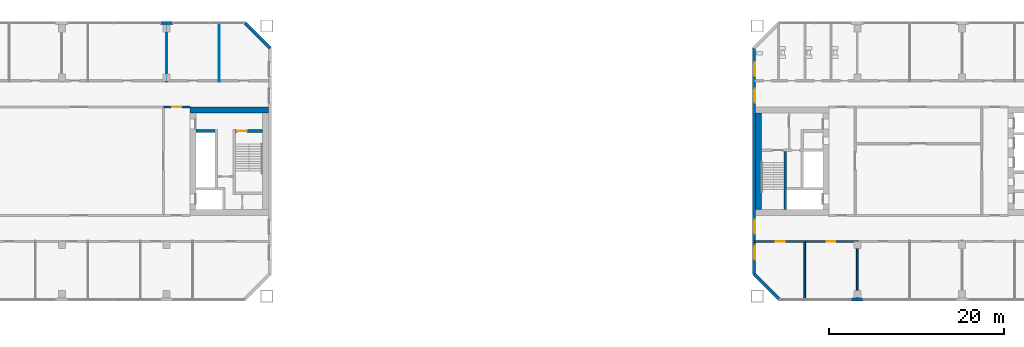
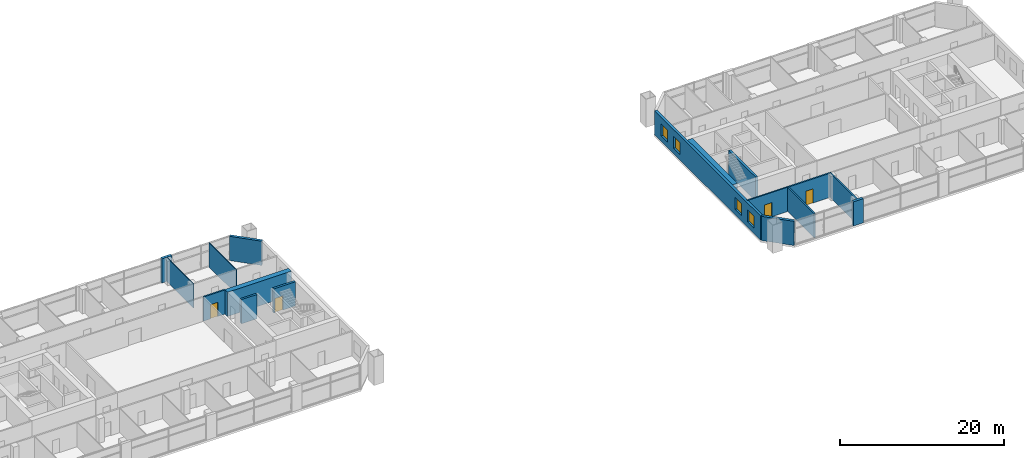
# One storey, part 13 of 19: 17 walls, 4 doors, 4 windows, 8 openings.
"""IFC4 building model written with IfcOpenShell, lengths in metres."""

import ifcopenshell
import ifcopenshell.guid

model = None  # the IFC model being written
_history = None  # IfcOwnerHistory: only IFC2X3 demands one
_inside = {}  # id of a spatial element -> (the spatial element, [elements in it])
_under = {}  # id of a project, library or spatial element -> (it, [spatial elements below it])
_declared = {}  # id of a project -> (the project, [libraries it declares])
_typed = {}  # id of a type object -> (the type object, [elements of that type])
_made_of = {}  # id of a material, layer set ... -> (it, [elements and type objects made of it])


def new_model(schema):
    """Start an empty IFC model of exactly this schema.

    Asked for "IFC4X3", IfcOpenShell would pick the latest addendum, in which some entities
    have other attributes; the version numbers below select the first issue.
    IFC2X3 requires an IfcOwnerHistory on every rooted entity: one is made here for all.
    """
    global model, _history
    if schema == "IFC4X3":
        model = ifcopenshell.file(schema_version=(4, 3, 0, 0))
    else:
        model = ifcopenshell.file(schema=schema)
    _inside.clear()
    _under.clear()
    _declared.clear()
    _typed.clear()
    _made_of.clear()
    _history = None
    if model.schema == "IFC2X3":
        org = make("IfcOrganization", Name="unknown")
        user = make(
            "IfcPersonAndOrganization",
            ThePerson=make("IfcPerson", FamilyName="unknown"),
            TheOrganization=org,
        )
        app = make(
            "IfcApplication",
            ApplicationDeveloper=org,
            Version="unknown",
            ApplicationFullName="unknown",
            ApplicationIdentifier="unknown",
        )
        _history = make(
            "IfcOwnerHistory",
            OwningUser=user,
            OwningApplication=app,
            ChangeAction="ADDED",
            CreationDate=0,
        )
    return model


def make(cls, **values):
    """One entity of the class cls with the attributes given. An attribute that is None is left unset."""
    return model.create_entity(
        cls, **{name: value for name, value in values.items() if value is not None}
    )


def rooted(cls, **values):
    """An entity with a GlobalId (a new one), such as an element, a storey or a relation."""
    return make(cls, GlobalId=ifcopenshell.guid.new(), OwnerHistory=_history, **values)


def si_unit(unit_type, name, prefix=None):
    """IfcSIUnit, for example si_unit("LENGTHUNIT", "METRE", prefix="MILLI")."""
    return make("IfcSIUnit", UnitType=unit_type, Prefix=prefix, Name=name)


def assignment(units):
    """IfcUnitAssignment: the units of a project."""
    return None if units is None else make("IfcUnitAssignment", Units=units)


def point(xyz):
    """IfcCartesianPoint."""
    return None if xyz is None else make("IfcCartesianPoint", Coordinates=xyz)


def direction(xyz):
    """IfcDirection."""
    return None if xyz is None else make("IfcDirection", DirectionRatios=xyz)


def frame(location, z_axis=None, x_axis=None):
    """IfcAxis2Placement3D, a coordinate frame: its origin and axes. An axis left out is left unset."""
    return make(
        "IfcAxis2Placement3D",
        Location=point(location),
        Axis=direction(z_axis),
        RefDirection=direction(x_axis),
    )


def frame_2d(location, x_axis=None):
    """IfcAxis2Placement2D, a coordinate frame in the plane: its origin and x axis."""
    return make(
        "IfcAxis2Placement2D", Location=point(location), RefDirection=direction(x_axis)
    )


def origin():
    """The frame at (0, 0, 0) with its axes left unset."""
    return frame((0.0, 0.0, 0.0))


def place(relative_to, where):
    """IfcLocalPlacement: puts the frame where relative to a parent placement (None: the world)."""
    return make(
        "IfcLocalPlacement", PlacementRelTo=relative_to, RelativePlacement=where
    )


def context(
    kind, dimensions, precision=None, world=None, true_north=None, identifier=None
):
    """IfcGeometricRepresentationContext, for example the 3D "Model" context."""
    return make(
        "IfcGeometricRepresentationContext",
        ContextIdentifier=identifier,
        ContextType=kind,
        CoordinateSpaceDimension=dimensions,
        Precision=precision,
        WorldCoordinateSystem=world,
        TrueNorth=true_north,
    )


def subcontext(parent, identifier, kind, view, scale=None):
    """IfcGeometricRepresentationSubContext, for example "Body" below "Model"."""
    return make(
        "IfcGeometricRepresentationSubContext",
        ContextIdentifier=identifier,
        ContextType=kind,
        ParentContext=parent,
        TargetScale=scale,
        TargetView=view,
    )


def project(units=None, contexts=None):
    """IfcProject with its units and contexts."""
    return rooted(
        "IfcProject",
        Name="project",
        RepresentationContexts=contexts,
        UnitsInContext=assignment(units),
    )


def spatial(cls, under=None, at=None, **own):
    """A site, building, storey or space (cls), placed at a placement, below another one or the project."""
    s = rooted(cls, ObjectPlacement=at, **own)
    if under is not None:
        _under.setdefault(under.id(), (under, []))[1].append(s)
    return s


def profile(cls, at=None, kind="AREA", **sizes):
    """A parametric profile (cls). Its sizes go by their IFC names, for example OverallWidth=200.0."""
    return make(cls, ProfileType=kind, Position=at, **sizes)


def rectangle(**sizes):
    """IfcRectangleProfileDef."""
    return profile("IfcRectangleProfileDef", **sizes)


def extrude(swept, where, along, depth):
    """IfcExtrudedAreaSolid: the profile swept, set in the frame where, extruded along a direction by depth."""
    return make(
        "IfcExtrudedAreaSolid",
        SweptArea=swept,
        Position=where,
        ExtrudedDirection=direction(along),
        Depth=depth,
    )


def shape(context_of_items, identifier, shape_type, items):
    """IfcShapeRepresentation: the items that make up one representation, for example the "Body"."""
    return make(
        "IfcShapeRepresentation",
        ContextOfItems=context_of_items,
        RepresentationIdentifier=identifier,
        RepresentationType=shape_type,
        Items=items,
    )


def material(Name=None, Category=None):
    """IfcMaterial."""
    return make("IfcMaterial", Name=Name, Category=Category)


def layer(
    of_material, thickness, ventilated=None, Name=None, Category=None, Priority=None
):
    """IfcMaterialLayer: one layer of a wall or slab, of a material (None: an air gap)."""
    return make(
        "IfcMaterialLayer",
        Material=of_material,
        LayerThickness=thickness,
        IsVentilated=ventilated,
        Name=Name,
        Category=Category,
        Priority=Priority,
    )


def layer_set(layers, Name=None):
    """IfcMaterialLayerSet."""
    return make("IfcMaterialLayerSet", MaterialLayers=layers, LayerSetName=Name)


def made_of(thing, what):
    """Note that an element or type object is made of a material, layer set ...; save() writes the relation."""
    if what is not None:
        _made_of.setdefault(what.id(), (what, []))[1].append(thing)
    return thing


def type_object(cls, material=None, **own):
    """A type object (cls), such as IfcWallType, which elements share."""
    return made_of(rooted(cls, **own), material)


def element(
    cls,
    number,
    at=None,
    inside=None,
    cuts=None,
    type_object=None,
    material=None,
    context=None,
    identifier="Body",
    shape_type=None,
    held_by="IfcProductDefinitionShape",
    body=None,
    shapes=None,
    **own,
):
    """One element of the class cls, such as IfcWall. Its Tag is "e" and its number.

    at: its placement. inside: the storey or other place that contains it. cuts: it is an
    opening in that element (IfcRelVoidsElement). A single representation is given by context,
    identifier, shape_type and body (its items); several are given by shapes. held_by: the class
    of the entity that holds the representations. save() writes the other relations.
    """
    e = rooted(cls, Tag="e%d" % number, ObjectPlacement=at, **own)
    if body is not None:
        shapes = [shape(context, identifier, shape_type, body)]
    if shapes is not None:
        e.Representation = make(held_by, Representations=shapes)
    if inside is not None:
        _inside.setdefault(inside.id(), (inside, []))[1].append(e)
    if cuts is not None:
        rooted(
            "IfcRelVoidsElement", RelatingBuildingElement=cuts, RelatedOpeningElement=e
        )
    if type_object is not None:
        _typed.setdefault(type_object.id(), (type_object, []))[1].append(e)
    return made_of(e, material)


def fill(opening, filler):
    """IfcRelFillsElement: the door or window that sits in an opening."""
    return rooted(
        "IfcRelFillsElement",
        RelatingOpeningElement=opening,
        RelatedBuildingElement=filler,
    )


def aggregate(whole, parts):
    """IfcRelAggregates: a whole, such as a stair, and the parts it consists of."""
    return rooted("IfcRelAggregates", RelatingObject=whole, RelatedObjects=parts)


def save(model, path):
    """Write the relations noted so far, then the file.

    IfcRelAggregates (storeys below a building ...), IfcRelContainedInSpatialStructure (elements
    in a storey), IfcRelDefinesByType, IfcRelAssociatesMaterial and IfcRelDeclares: one each for
    every whole, place, type object, material and project.
    """
    for whole, parts in _under.values():
        aggregate(whole, parts)
    for where, things in _inside.values():
        rooted(
            "IfcRelContainedInSpatialStructure",
            RelatedElements=things,
            RelatingStructure=where,
        )
    for kind, things in _typed.values():
        rooted("IfcRelDefinesByType", RelatedObjects=things, RelatingType=kind)
    for what, things in _made_of.values():
        rooted("IfcRelAssociatesMaterial", RelatedObjects=things, RelatingMaterial=what)
    for by, libraries in _declared.values():
        rooted("IfcRelDeclares", RelatingContext=by, RelatedDefinitions=libraries)
    model.write(path)


model = new_model("IFC4")

# Units and contexts
model_context = context("Model", 3, precision=1e-05, world=origin(), true_north=direction((0.0, 1.0)))
body_context = subcontext(model_context, "Body", "Model", "MODEL_VIEW")
ifc_project = project(units=[si_unit("LENGTHUNIT", "METRE"), si_unit("AREAUNIT", "SQUARE_METRE"), si_unit("VOLUMEUNIT", "CUBIC_METRE"), si_unit("PLANEANGLEUNIT", "RADIAN"), si_unit("MASSUNIT", "GRAM", prefix="KILO")], contexts=[model_context])

# Site, building, storey
site_placement = place(None, origin())
site = spatial("IfcSite", under=ifc_project, at=site_placement, CompositionType="ELEMENT")
building_placement = place(site_placement, origin())
building = spatial("IfcBuilding", under=site, at=building_placement, Name="Tuart Gate Housing", CompositionType="ELEMENT")
storey_placement = place(building_placement, frame((0.0, 0.0, 67.39990234375)))
storey = spatial("IfcBuildingStorey", under=building, at=storey_placement, Name="L18", CompositionType="ELEMENT", Elevation=67.39990234375)

# Walls
ifc_material_1 = material(Name="Brick", Category="masonry")
ifc_layer_1 = layer(ifc_material_1, 0.360107421875)
ifc_layer_set_1 = layer_set([ifc_layer_1], Name="Brick pier and spandrel wall 360")
wall_type_1 = type_object("IfcWallType", Name="Brick pier and spandrel wall 360", PredefinedType="STANDARD", material=ifc_layer_set_1)
wall_1_placement = place(storey_placement, frame((75.820068359375, 82.92529296875, 0.0), z_axis=(0.0, 0.0, 1.0), x_axis=(-0.707106781187, 0.707106781187, 0.0)))
element("IfcWall", 1, at=wall_1_placement, inside=storey, type_object=wall_type_1, Name="External wall A-NE L18", PredefinedType="STANDARD", context=body_context, shape_type="SweptSolid", body=[
    extrude(rectangle(XDim=4.09375, YDim=0.360107421875, at=frame_2d((2.046875, 0.0))), origin(), (0.0, 0.0, 1.0), 3.60009765625),
])
wall_2_placement = place(storey_placement, frame((64.699951171875, 85.820068359375, 0.0), z_axis=(0.0, 0.0, 1.0), x_axis=(-1.0, 0.0, 0.0)))
element("IfcWall", 2, at=wall_2_placement, inside=storey, type_object=wall_type_1, Name="External wall A-N L18", PredefinedType="STANDARD", context=body_context, shape_type="SweptSolid", body=[
    extrude(rectangle(XDim=1.39990234375, YDim=0.360107421875, at=frame_2d((0.699951171875, 0.0))), origin(), (0.0, 0.0, 1.0), 3.60009765625),
])
wall_3_placement = place(storey_placement, frame((131.179931640625, 57.07470703125, 0.0), z_axis=(0.0, 0.0, 1.0), x_axis=(0.707106781187, -0.707106781187, 0.0)))
element("IfcWall", 3, at=wall_3_placement, inside=storey, type_object=wall_type_1, Name="External wall B-SW L18", PredefinedType="STANDARD", context=body_context, shape_type="SweptSolid", body=[
    extrude(rectangle(XDim=4.09375, YDim=0.360107421875, at=frame_2d((2.046875, 0.0))), origin(), (0.0, 0.0, 1.0), 3.60009765625),
])
wall_4_placement = place(storey_placement, frame((142.300048828125, 54.179931640625, 0.0), z_axis=(0.0, 0.0, 1.0), x_axis=(1.0, 0.0, 0.0)))
element("IfcWall", 4, at=wall_4_placement, inside=storey, type_object=wall_type_1, Name="External wall B-S L18", PredefinedType="STANDARD", context=body_context, shape_type="SweptSolid", body=[
    extrude(rectangle(XDim=1.39990234375, YDim=0.360107421875, at=frame_2d((0.699951171875, 0.0))), origin(), (0.0, 0.0, 1.0), 3.60009765625),
])

# Wall, openings, windows
wall_5_placement = place(storey_placement, frame((131.179931640625, 82.92529296875, 0.0), z_axis=(0.0, 0.0, 1.0), x_axis=(0.0, -1.0, 0.0)))
wall_5 = element("IfcWall", 5, at=wall_5_placement, inside=storey, type_object=wall_type_1, Name="External wall B-W L18", PredefinedType="STANDARD", context=body_context, shape_type="SweptSolid", body=[
    extrude(rectangle(XDim=25.850830078125, YDim=0.360107421875, at=frame_2d((12.92529296875, 0.0))), origin(), (0.0, 0.0, 1.0), 3.60009765625),
])
opening_1_placement = place(wall_5_placement, frame((1.62548828125, 0.0, 0.800048828125)))
opening_1 = element("IfcOpeningElement", 6, at=opening_1_placement, cuts=wall_5, Name="Opening W1", PredefinedType="OPENING", context=body_context, shape_type="SweptSolid", body=[
    extrude(rectangle(XDim=1.60009765625, YDim=1.800048828125, at=frame_2d((0.800048828125, 0.89990234375))), frame((0.0, 0.18994140625, 0.0), z_axis=(0.0, -1.0, 0.0), x_axis=(1.0, 0.0, 0.0)), (0.0, 0.0, 1.0), 0.380126953125),
])
opening_2_placement = place(wall_5_placement, frame((4.62548828125, 0.0, 0.800048828125)))
opening_2 = element("IfcOpeningElement", 7, at=opening_2_placement, cuts=wall_5, Name="Opening W1", PredefinedType="OPENING", context=body_context, shape_type="SweptSolid", body=[
    extrude(rectangle(XDim=1.60009765625, YDim=1.800048828125, at=frame_2d((0.800048828125, 0.89990234375))), frame((0.0, 0.18994140625, 0.0), z_axis=(0.0, -1.0, 0.0), x_axis=(1.0, 0.0, 0.0)), (0.0, 0.0, 1.0), 0.380126953125),
])
opening_3_placement = place(wall_5_placement, frame((19.62548828125, 0.0, 0.800048828125)))
opening_3 = element("IfcOpeningElement", 8, at=opening_3_placement, cuts=wall_5, Name="Opening W1", PredefinedType="OPENING", context=body_context, shape_type="SweptSolid", body=[
    extrude(rectangle(XDim=1.60009765625, YDim=1.800048828125, at=frame_2d((0.800048828125, 0.89990234375))), frame((0.0, 0.18994140625, 0.0), z_axis=(0.0, -1.0, 0.0), x_axis=(1.0, 0.0, 0.0)), (0.0, 0.0, 1.0), 0.380126953125),
])
opening_4_placement = place(wall_5_placement, frame((22.62548828125, 0.0, 0.800048828125)))
opening_4 = element("IfcOpeningElement", 9, at=opening_4_placement, cuts=wall_5, Name="Opening W1", PredefinedType="OPENING", context=body_context, shape_type="SweptSolid", body=[
    extrude(rectangle(XDim=1.60009765625, YDim=1.800048828125, at=frame_2d((0.800048828125, 0.89990234375))), frame((0.0, 0.18994140625, 0.0), z_axis=(0.0, -1.0, 0.0), x_axis=(1.0, 0.0, 0.0)), (0.0, 0.0, 1.0), 0.380126953125),
])
ifc_material_2 = material(Name="Aluminium frame with clear glass", Category="aluminium")
window_type = type_object("IfcWindowType", Name="Punched window 1600 x 1800", PartitioningType="SINGLE_PANEL", PredefinedType="WINDOW", material=ifc_material_2)
window_1_placement = place(opening_1_placement, origin())
window_1 = element("IfcWindow", 10, at=window_1_placement, inside=storey, type_object=window_type, Name="Window W1", OverallHeight=1.800048828125, OverallWidth=1.60009765625, PartitioningType="SINGLE_PANEL", PredefinedType="WINDOW", context=body_context, shape_type="SweptSolid", body=[
    extrude(rectangle(XDim=1.60009765625, YDim=1.800048828125, at=frame_2d((0.800048828125, 0.89990234375))), frame((0.0, 0.150146484375, 0.0), z_axis=(0.0, -1.0, 0.0), x_axis=(1.0, 0.0, 0.0)), (0.0, 0.0, 1.0), 0.06005859375),
])
fill(opening_1, window_1)
window_2_placement = place(opening_2_placement, origin())
window_2 = element("IfcWindow", 11, at=window_2_placement, inside=storey, type_object=window_type, Name="Window W1", OverallHeight=1.800048828125, OverallWidth=1.60009765625, PartitioningType="SINGLE_PANEL", PredefinedType="WINDOW", context=body_context, shape_type="SweptSolid", body=[
    extrude(rectangle(XDim=1.60009765625, YDim=1.800048828125, at=frame_2d((0.800048828125, 0.89990234375))), frame((0.0, 0.150146484375, 0.0), z_axis=(0.0, -1.0, 0.0), x_axis=(1.0, 0.0, 0.0)), (0.0, 0.0, 1.0), 0.06005859375),
])
fill(opening_2, window_2)
window_3_placement = place(opening_3_placement, origin())
window_3 = element("IfcWindow", 12, at=window_3_placement, inside=storey, type_object=window_type, Name="Window W1", OverallHeight=1.800048828125, OverallWidth=1.60009765625, PartitioningType="SINGLE_PANEL", PredefinedType="WINDOW", context=body_context, shape_type="SweptSolid", body=[
    extrude(rectangle(XDim=1.60009765625, YDim=1.800048828125, at=frame_2d((0.800048828125, 0.89990234375))), frame((0.0, 0.150146484375, 0.0), z_axis=(0.0, -1.0, 0.0), x_axis=(1.0, 0.0, 0.0)), (0.0, 0.0, 1.0), 0.06005859375),
])
fill(opening_3, window_3)
window_4_placement = place(opening_4_placement, origin())
window_4 = element("IfcWindow", 13, at=window_4_placement, inside=storey, type_object=window_type, Name="Window W1", OverallHeight=1.800048828125, OverallWidth=1.60009765625, PartitioningType="SINGLE_PANEL", PredefinedType="WINDOW", context=body_context, shape_type="SweptSolid", body=[
    extrude(rectangle(XDim=1.60009765625, YDim=1.800048828125, at=frame_2d((0.800048828125, 0.89990234375))), frame((0.0, 0.150146484375, 0.0), z_axis=(0.0, -1.0, 0.0), x_axis=(1.0, 0.0, 0.0)), (0.0, 0.0, 1.0), 0.06005859375),
])
fill(opening_4, window_4)

# Wall
ifc_material_3 = material(Name="Concrete C50", Category="concrete")
ifc_layer_2 = layer(ifc_material_3, 0.300048828125)
ifc_layer_set_2 = layer_set([ifc_layer_2], Name="Core wall 300 C50")
wall_type_2 = type_object("IfcWallType", Name="Core wall 300 C50", PredefinedType="SHEAR", material=ifc_layer_set_2)
wall_6_placement = place(storey_placement, frame((67.340087890625, 73.449951171875, 0.0), z_axis=(0.0, 0.0, 1.0), x_axis=(1.0, 0.0, 0.0)))
element("IfcWall", 14, at=wall_6_placement, inside=storey, type_object=wall_type_2, Name="Core wall AG.4", PredefinedType="SHEAR", context=body_context, shape_type="SweptSolid", body=[
    extrude(rectangle(XDim=2.199951171875, YDim=0.300048828125, at=frame_2d((1.10009765625, 0.0))), origin(), (0.0, 0.0, 1.0), 3.60009765625),
])

# Wall, opening, door
wall_7_placement = place(storey_placement, frame((71.889892578125, 73.449951171875, 0.0), z_axis=(0.0, 0.0, 1.0), x_axis=(1.0, 0.0, 0.0)))
wall_7 = element("IfcWall", 15, at=wall_7_placement, inside=storey, type_object=wall_type_2, Name="Core wall AG.5", PredefinedType="SHEAR", context=body_context, shape_type="SweptSolid", body=[
    extrude(rectangle(XDim=3.050048828125, YDim=0.300048828125, at=frame_2d((1.52490234375, 0.0))), origin(), (0.0, 0.0, 1.0), 3.60009765625),
])
opening_5_placement = place(wall_7_placement, frame((0.169921875, 0.0, 0.0)))
opening_5 = element("IfcOpeningElement", 16, at=opening_5_placement, cuts=wall_7, Name="Opening D085", PredefinedType="OPENING", context=body_context, shape_type="SweptSolid", body=[
    extrude(rectangle(XDim=1.10009765625, YDim=2.10009765625, at=frame_2d((0.550048828125, 1.050048828125))), frame((0.0, 0.159912109375, 0.0), z_axis=(0.0, -1.0, 0.0), x_axis=(1.0, 0.0, 0.0)), (0.0, 0.0, 1.0), 0.320068359375),
])
ifc_material_4 = material(Name="Steel fire door", Category="steel")
door_type_1 = type_object("IfcDoorType", Name="Stair door 1100 x 2100 RH", OperationType="SINGLE_SWING_RIGHT", PredefinedType="DOOR", material=ifc_material_4)
door_1_placement = place(opening_5_placement, frame((1.10009765625, 0.0, 0.0), z_axis=(0.0, 0.0, 1.0), x_axis=(-1.0, 0.0, 0.0)))
door_1 = element("IfcDoor", 17, at=door_1_placement, inside=storey, type_object=door_type_1, Name="Stair door AG.SD", OperationType="SINGLE_SWING_RIGHT", OverallHeight=2.10009765625, OverallWidth=1.10009765625, PredefinedType="DOOR", context=body_context, shape_type="SweptSolid", body=[
    extrude(rectangle(XDim=1.10009765625, YDim=2.10009765625, at=frame_2d((0.550048828125, 1.050048828125))), frame((0.0, 0.025146484375, 0.0), z_axis=(0.0, -1.0, 0.0), x_axis=(1.0, 0.0, 0.0)), (0.0, 0.0, 1.0), 0.050048828125),
])
fill(opening_5, door_1)

# Walls
wall_8_placement = place(storey_placement, frame((134.760009765625, 64.5, 0.0), z_axis=(0.0, 0.0, 1.0), x_axis=(0.0, 1.0, 0.0)))
element("IfcWall", 18, at=wall_8_placement, inside=storey, type_object=wall_type_2, Name="Core wall BG.7", PredefinedType="SHEAR", context=body_context, shape_type="SweptSolid", body=[
    extrude(rectangle(XDim=6.60009765625, YDim=0.300048828125, at=frame_2d((3.300048828125, 0.0))), origin(), (0.0, 0.0, 1.0), 3.60009765625),
])
ifc_material_5 = material(Name="Concrete C50", Category="concrete")
ifc_layer_3 = layer(ifc_material_5, 0.699951171875)
ifc_layer_set_3 = layer_set([ifc_layer_3], Name="Core wall 700 C50")
wall_type_3 = type_object("IfcWallType", Name="Core wall 700 C50", PredefinedType="SHEAR", material=ifc_layer_set_3)
wall_9_placement = place(storey_placement, frame((66.639892578125, 75.85009765625, 0.0), z_axis=(0.0, 0.0, 1.0), x_axis=(1.0, 0.0, 0.0)))
element("IfcWall", 19, at=wall_9_placement, inside=storey, type_object=wall_type_3, Name="Core wall AG north", PredefinedType="SHEAR", context=body_context, shape_type="SweptSolid", body=[
    extrude(rectangle(XDim=9.0, YDim=0.699951171875, at=frame_2d((4.5, 0.0))), origin(), (0.0, 0.0, 1.0), 3.60009765625),
])
wall_10_placement = place(storey_placement, frame((131.7099609375, 64.5, 0.0), z_axis=(0.0, 0.0, 1.0), x_axis=(0.0, 1.0, 0.0)))
element("IfcWall", 20, at=wall_10_placement, inside=storey, type_object=wall_type_3, Name="Core wall BG back", PredefinedType="SHEAR", context=body_context, shape_type="SweptSolid", body=[
    extrude(rectangle(XDim=11.0, YDim=0.699951171875, at=frame_2d((5.5, 0.0))), origin(), (0.0, 0.0, 1.0), 3.60009765625),
])

# Wall, opening, door
ifc_material_6 = material(Name="Concrete masonry 15 MPa", Category="masonry")
ifc_layer_4 = layer(ifc_material_6, 0.199951171875)
ifc_layer_set_4 = layer_set([ifc_layer_4], Name="Corridor wall masonry 200")
wall_type_4 = type_object("IfcWallType", Name="Corridor wall masonry 200", PredefinedType="PARTITIONING", material=ifc_layer_set_4)
wall_11_placement = place(storey_placement, frame((131.239990234375, 60.800048828125, 0.0), z_axis=(0.0, 0.0, 1.0), x_axis=(1.0, 0.0, 0.0)))
wall_11 = element("IfcWall", 21, at=wall_11_placement, inside=storey, type_object=wall_type_4, Name="Corridor wall masonry 200", PredefinedType="PARTITIONING", context=body_context, shape_type="SweptSolid", body=[
    extrude(rectangle(XDim=5.860107421875, YDim=0.199951171875, at=frame_2d((2.93017578125, 0.0))), origin(), (0.0, 0.0, 1.0), 3.60009765625),
])
opening_6_placement = place(wall_11_placement, frame((2.43994140625, 0.0, 0.0)))
opening_6 = element("IfcOpeningElement", 22, at=opening_6_placement, cuts=wall_11, Name="Opening D135", PredefinedType="OPENING", context=body_context, shape_type="SweptSolid", body=[
    extrude(rectangle(XDim=1.0, YDim=2.10009765625, at=frame_2d((0.5, 1.050048828125))), frame((0.0, 0.10986328125, 0.0), z_axis=(0.0, -1.0, 0.0), x_axis=(1.0, 0.0, 0.0)), (0.0, 0.0, 1.0), 0.219970703125),
])
ifc_material_7 = material(Name="Timber door leaf in steel frame", Category="steel")
door_type_2 = type_object("IfcDoorType", Name="Fire door 1000 RH", OperationType="SINGLE_SWING_RIGHT", PredefinedType="DOOR", material=ifc_material_7)
door_2_placement = place(opening_6_placement, frame((1.0, 0.0, 0.0), z_axis=(0.0, 0.0, 1.0), x_axis=(-1.0, 0.0, 0.0)))
door_2 = element("IfcDoor", 23, at=door_2_placement, inside=storey, type_object=door_type_2, Name="Fire door 1000", OperationType="SINGLE_SWING_RIGHT", OverallHeight=2.10009765625, OverallWidth=1.0, PredefinedType="DOOR", context=body_context, shape_type="SweptSolid", body=[
    extrude(rectangle(XDim=1.0, YDim=2.10009765625, at=frame_2d((0.5, 1.050048828125))), frame((0.0, 0.025146484375, 0.0), z_axis=(0.0, -1.0, 0.0), x_axis=(1.0, 0.0, 0.0)), (0.0, 0.0, 1.0), 0.050048828125),
])
fill(opening_6, door_2)

ifc_material_8 = material(Name="Concrete masonry 15 MPa", Category="masonry")
ifc_layer_5 = layer(ifc_material_8, 0.199951171875)
ifc_layer_set_5 = layer_set([ifc_layer_5], Name="Enclosure wall masonry 200")
wall_type_5 = type_object("IfcWallType", Name="Enclosure wall masonry 200", PredefinedType="PARTITIONING", material=ifc_layer_set_5)
wall_12_placement = place(storey_placement, frame((136.89990234375, 60.800048828125, 0.0), z_axis=(0.0, 0.0, 1.0), x_axis=(1.0, 0.0, 0.0)))
wall_12 = element("IfcWall", 24, at=wall_12_placement, inside=storey, type_object=wall_type_5, Name="Enclosure wall masonry 200", PredefinedType="PARTITIONING", context=body_context, shape_type="SweptSolid", body=[
    extrude(rectangle(XDim=6.2001953125, YDim=0.199951171875, at=frame_2d((3.10009765625, 0.0))), origin(), (0.0, 0.0, 1.0), 3.60009765625),
])
opening_7_placement = place(wall_12_placement, frame((2.60009765625, 0.0, 0.0)))
opening_7 = element("IfcOpeningElement", 25, at=opening_7_placement, cuts=wall_12, Name="Opening D136", PredefinedType="OPENING", context=body_context, shape_type="SweptSolid", body=[
    extrude(rectangle(XDim=1.0, YDim=2.10009765625, at=frame_2d((0.5, 1.050048828125))), frame((0.0, 0.10986328125, 0.0), z_axis=(0.0, -1.0, 0.0), x_axis=(1.0, 0.0, 0.0)), (0.0, 0.0, 1.0), 0.219970703125),
])
door_3_placement = place(opening_7_placement, frame((1.0, 0.0, 0.0), z_axis=(0.0, 0.0, 1.0), x_axis=(-1.0, 0.0, 0.0)))
door_3 = element("IfcDoor", 26, at=door_3_placement, inside=storey, type_object=door_type_2, Name="Fire door 1000", OperationType="SINGLE_SWING_RIGHT", OverallHeight=2.10009765625, OverallWidth=1.0, PredefinedType="DOOR", context=body_context, shape_type="SweptSolid", body=[
    extrude(rectangle(XDim=1.0, YDim=2.10009765625, at=frame_2d((0.5, 1.050048828125))), frame((0.0, 0.025146484375, 0.0), z_axis=(0.0, -1.0, 0.0), x_axis=(1.0, 0.0, 0.0)), (0.0, 0.0, 1.0), 0.050048828125),
])
fill(opening_7, door_3)

wall_13_placement = place(storey_placement, frame((63.639892578125, 76.199951171875, 0.0), z_axis=(0.0, 0.0, 1.0), x_axis=(1.0, 0.0, 0.0)))
wall_13 = element("IfcWall", 27, at=wall_13_placement, inside=storey, type_object=wall_type_5, Name="Enclosure wall masonry 200", PredefinedType="PARTITIONING", context=body_context, shape_type="SweptSolid", body=[
    extrude(rectangle(XDim=3.0, YDim=0.199951171875, at=frame_2d((1.5, 0.0))), origin(), (0.0, 0.0, 1.0), 3.60009765625),
])
opening_8_placement = place(wall_13_placement, frame((1.0, 0.0, 0.0)))
opening_8 = element("IfcOpeningElement", 28, at=opening_8_placement, cuts=wall_13, Name="Opening D084", PredefinedType="OPENING", context=body_context, shape_type="SweptSolid", body=[
    extrude(rectangle(XDim=1.0, YDim=2.10009765625, at=frame_2d((0.5, 1.050048828125))), frame((0.0, 0.10986328125, 0.0), z_axis=(0.0, -1.0, 0.0), x_axis=(1.0, 0.0, 0.0)), (0.0, 0.0, 1.0), 0.219970703125),
])
ifc_material_9 = material(Name="Timber door leaf in steel frame", Category="steel")
door_type_3 = type_object("IfcDoorType", Name="Lobby door 1000 RH", OperationType="SINGLE_SWING_RIGHT", PredefinedType="DOOR", material=ifc_material_9)
door_4_placement = place(opening_8_placement, frame((1.0, 0.0, 0.0), z_axis=(0.0, 0.0, 1.0), x_axis=(-1.0, 0.0, 0.0)))
door_4 = element("IfcDoor", 29, at=door_4_placement, inside=storey, type_object=door_type_3, Name="Lobby door 1000", OperationType="SINGLE_SWING_RIGHT", OverallHeight=2.10009765625, OverallWidth=1.0, PredefinedType="DOOR", context=body_context, shape_type="SweptSolid", body=[
    extrude(rectangle(XDim=1.0, YDim=2.10009765625, at=frame_2d((0.5, 1.050048828125))), frame((0.0, 0.025146484375, 0.0), z_axis=(0.0, -1.0, 0.0), x_axis=(1.0, 0.0, 0.0)), (0.0, 0.0, 1.0), 0.050048828125),
])
fill(opening_8, door_4)

# Walls
for number, where, z_axis, x_axis, name in (
    (30, (137.0, 54.239990234375, 0.0), (0.0, 0.0, 1.0), (0.0, 1.0, 0.0), "Enclosure wall masonry 200"),
    (31, (143.0, 54.239990234375, 0.0), (0.0, 0.0, 1.0), (0.0, 1.0, 0.0), "Enclosure wall masonry 200"),
):
    element("IfcWall", number, at=place(storey_placement, frame(where, z_axis=z_axis, x_axis=x_axis)), inside=storey, type_object=wall_type_5, Name=name, PredefinedType="PARTITIONING", context=body_context, shape_type="SweptSolid", body=[
        extrude(rectangle(XDim=6.659912109375, YDim=0.199951171875, at=frame_2d((3.330078125, 0.0))), origin(), (0.0, 0.0, 1.0), 3.60009765625),
    ])
ifc_material_10 = material(Name="Gypsum board on steel studs", Category="steel")
ifc_layer_6 = layer(ifc_material_10, 0.10009765625)
ifc_layer_set_6 = layer_set([ifc_layer_6], Name="Partition 100")
wall_type_6 = type_object("IfcWallType", Name="Partition 100", PredefinedType="PARTITIONING", material=ifc_layer_set_6)
for number, where, z_axis, x_axis, name in (
    (32, (64.0, 79.10009765625, 0.0), (0.0, 0.0, 1.0), (0.0, 1.0, 0.0), "Partition 100"),
    (33, (70.0, 79.10009765625, 0.0), (0.0, 0.0, 1.0), (0.0, 1.0, 0.0), "Partition 100"),
):
    element("IfcWall", number, at=place(storey_placement, frame(where, z_axis=z_axis, x_axis=x_axis)), inside=storey, type_object=wall_type_6, Name=name, PredefinedType="PARTITIONING", context=body_context, shape_type="SweptSolid", body=[
        extrude(rectangle(XDim=6.659912109375, YDim=0.10009765625, at=frame_2d((3.330078125, 0.0))), origin(), (0.0, 0.0, 1.0), 3.60009765625),
    ])

save(model, "model.ifc")
